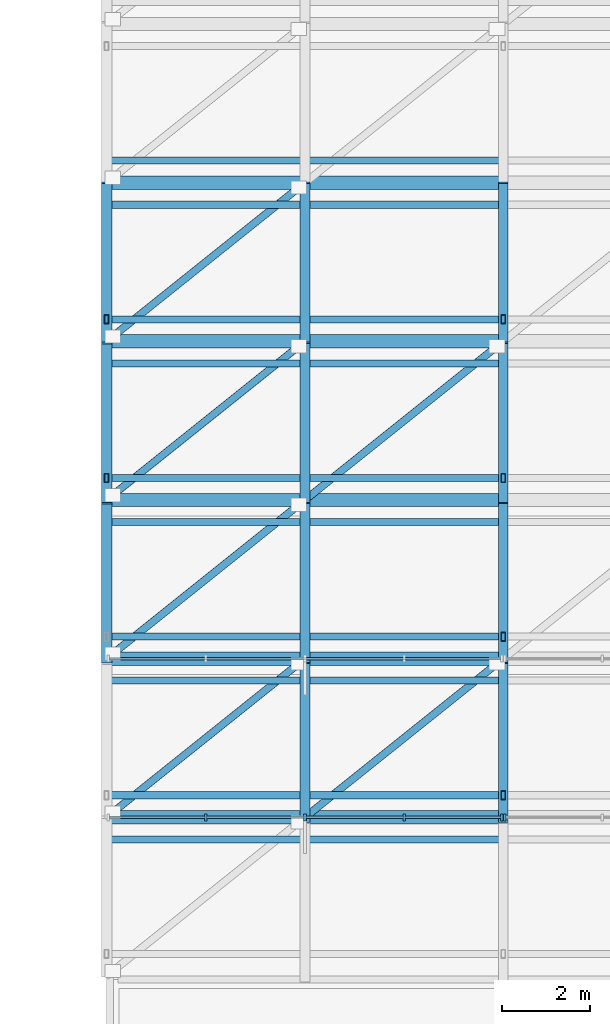
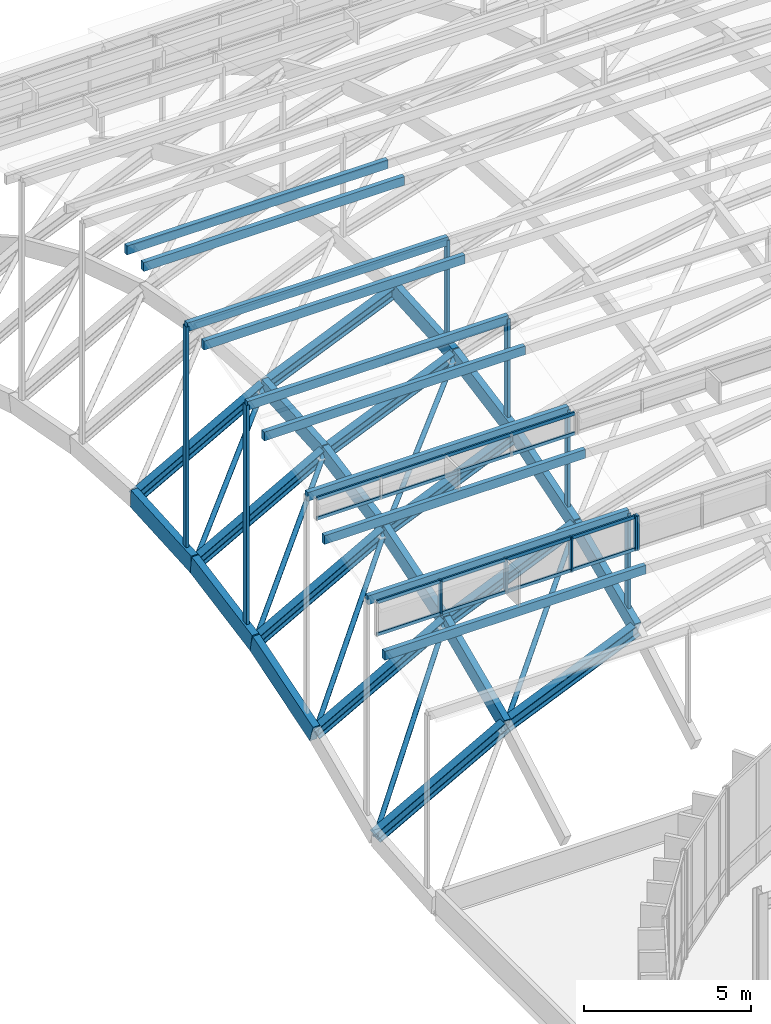
# One storey, part 13 of 69: 31 members, 21 beams, 3 elements without a shape of their own.
"""IFC4 building model written with IfcOpenShell, lengths in metres."""

from ifc_helpers import new_model, si_unit, direction, frame, origin, origin_2d, place, context, subcontext, project, spatial, rectangle, hollow_rectangle, hollow_circle, i_section, extrude, material, layer, layer_set, material_profile, profile_set, type_object, element, aggregate, save


model = new_model("IFC4")

# Units and contexts
model_context = context("Model", 3, precision=1e-05, world=origin(), true_north=direction((0.0, 1.0)))
body_context = subcontext(model_context, "Body", "Model", "MODEL_VIEW")
ifc_project = project(units=[si_unit("LENGTHUNIT", "METRE"), si_unit("AREAUNIT", "SQUARE_METRE"), si_unit("VOLUMEUNIT", "CUBIC_METRE"), si_unit("PLANEANGLEUNIT", "RADIAN"), si_unit("MASSUNIT", "GRAM", prefix="KILO")], contexts=[model_context])

# Site, building, storey
site_placement = place(None, origin())
site = spatial("IfcSite", under=ifc_project, at=site_placement, CompositionType="ELEMENT")
building_placement = place(site_placement, origin())
building = spatial("IfcBuilding", under=site, at=building_placement, Name="Montealbar Specialist Clinic", CompositionType="ELEMENT")
storey_placement = place(building_placement, frame((0.0, 0.0, 9.60009765625)))
storey = spatial("IfcBuildingStorey", under=building, at=storey_placement, Name="L02", CompositionType="ELEMENT", Elevation=9.60009765625)

# Beams
ifc_material_1 = material(Name="Steel S355", Category="steel")
ifc_material_profile_1 = material_profile(ifc_material_1, i_section(OverallWidth=0.300048828125, OverallDepth=0.360107421875, WebThickness=0.012451171875, FlangeThickness=0.0224609375, FilletRadius=0.027099609375, at=origin_2d()), Name="HEB 360", Category="steel")
ifc_profile_set_1 = profile_set([ifc_material_profile_1], Name="Steel S355")
beam_type_1 = type_object("IfcBeamType", Name="BM-GIRD-HEB360-EXT", PredefinedType="BEAM", material=ifc_profile_set_1)
beam_1_placement = place(storey_placement, frame((54.0, 52.199951171875, 2.208984375), z_axis=(0.874579956814, 0.0, 0.484881324799), x_axis=(0.0, 1.0, 0.0)))
element("IfcBeam", 1, at=beam_1_placement, inside=storey, type_object=beam_type_1, Name="Gridshell Roof Truss Arch Rib X 2-0", PredefinedType="BEAM", context=body_context, shape_type="SweptSolid", body=[
    extrude(i_section(OverallWidth=0.300048828125, OverallDepth=0.360107421875, WebThickness=0.012451171875, FlangeThickness=0.0224609375, FilletRadius=0.027099609375, at=origin_2d()), origin(), (0.0, 0.0, 1.0), 5.145263671875),
])
beam_2_placement = place(storey_placement, frame((58.5, 52.199951171875, 4.703857421875), z_axis=(0.918302852681, 0.0, 0.395878606087), x_axis=(0.0, 1.0, 0.0)))
element("IfcBeam", 2, at=beam_2_placement, inside=storey, type_object=beam_type_1, Name="Gridshell Roof Truss Arch Rib X 2-1", PredefinedType="BEAM", context=body_context, shape_type="SweptSolid", body=[
    extrude(i_section(OverallWidth=0.300048828125, OverallDepth=0.360107421875, WebThickness=0.012451171875, FlangeThickness=0.0224609375, FilletRadius=0.027099609375, at=origin_2d()), origin(), (0.0, 0.0, 1.0), 4.900390625),
])
beam_3_placement = place(storey_placement, frame((54.0, 55.800048828125, 3.343017578125), z_axis=(0.874579956814, 0.0, 0.484881324799), x_axis=(0.0, 1.0, 0.0)))
element("IfcBeam", 3, at=beam_3_placement, inside=storey, type_object=beam_type_1, Name="Gridshell Roof Truss Arch Rib X 3-0", PredefinedType="BEAM", context=body_context, shape_type="SweptSolid", body=[
    extrude(i_section(OverallWidth=0.300048828125, OverallDepth=0.360107421875, WebThickness=0.012451171875, FlangeThickness=0.0224609375, FilletRadius=0.027099609375, at=origin_2d()), origin(), (0.0, 0.0, 1.0), 5.145263671875),
])
beam_4_placement = place(storey_placement, frame((58.5, 55.800048828125, 5.837890625), z_axis=(0.918302852681, 0.0, 0.395878606087), x_axis=(0.0, 1.0, 0.0)))
element("IfcBeam", 4, at=beam_4_placement, inside=storey, type_object=beam_type_1, Name="Gridshell Roof Truss Arch Rib X 3-1", PredefinedType="BEAM", context=body_context, shape_type="SweptSolid", body=[
    extrude(i_section(OverallWidth=0.300048828125, OverallDepth=0.360107421875, WebThickness=0.012451171875, FlangeThickness=0.0224609375, FilletRadius=0.027099609375, at=origin_2d()), origin(), (0.0, 0.0, 1.0), 4.900390625),
])
beam_5_placement = place(storey_placement, frame((54.0, 59.39990234375, 4.02294921875), z_axis=(0.874579956814, 0.0, 0.484881324799), x_axis=(0.0, 1.0, 0.0)))
element("IfcBeam", 5, at=beam_5_placement, inside=storey, type_object=beam_type_1, Name="Gridshell Roof Truss Arch Rib X 4-0", PredefinedType="BEAM", context=body_context, shape_type="SweptSolid", body=[
    extrude(i_section(OverallWidth=0.300048828125, OverallDepth=0.360107421875, WebThickness=0.012451171875, FlangeThickness=0.0224609375, FilletRadius=0.027099609375, at=origin_2d()), origin(), (0.0, 0.0, 1.0), 5.145263671875),
])
beam_6_placement = place(storey_placement, frame((58.5, 59.39990234375, 6.517822265625), z_axis=(0.918284740285, 0.0, 0.395920618004), x_axis=(0.0, 1.0, 0.0)))
element("IfcBeam", 6, at=beam_6_placement, inside=storey, type_object=beam_type_1, Name="Gridshell Roof Truss Arch Rib X 4-1", PredefinedType="BEAM", context=body_context, shape_type="SweptSolid", body=[
    extrude(i_section(OverallWidth=0.300048828125, OverallDepth=0.360107421875, WebThickness=0.012451171875, FlangeThickness=0.0224609375, FilletRadius=0.027099609375, at=origin_2d()), origin(), (0.0, 0.0, 1.0), 4.900390625),
])
beam_7_placement = place(storey_placement, frame((54.0, 63.0, 4.25), z_axis=(0.874579956814, 0.0, 0.484881324799), x_axis=(0.0, 1.0, 0.0)))
element("IfcBeam", 7, at=beam_7_placement, inside=storey, type_object=beam_type_1, Name="Gridshell Roof Truss Arch Rib X 5-0", PredefinedType="BEAM", context=body_context, shape_type="SweptSolid", body=[
    extrude(i_section(OverallWidth=0.300048828125, OverallDepth=0.360107421875, WebThickness=0.012451171875, FlangeThickness=0.0224609375, FilletRadius=0.027099609375, at=origin_2d()), origin(), (0.0, 0.0, 1.0), 5.145263671875),
])
beam_8_placement = place(storey_placement, frame((58.5, 63.0, 6.744873046875), z_axis=(0.918302852681, 0.0, 0.395878606087), x_axis=(0.0, 1.0, 0.0)))
element("IfcBeam", 8, at=beam_8_placement, inside=storey, type_object=beam_type_1, Name="Gridshell Roof Truss Arch Rib X 5-1", PredefinedType="BEAM", context=body_context, shape_type="SweptSolid", body=[
    extrude(i_section(OverallWidth=0.300048828125, OverallDepth=0.360107421875, WebThickness=0.012451171875, FlangeThickness=0.0224609375, FilletRadius=0.027099609375, at=origin_2d()), origin(), (0.0, 0.0, 1.0), 4.900390625),
])
ifc_material_profile_2 = material_profile(ifc_material_1, i_section(OverallWidth=0.300048828125, OverallDepth=0.39990234375, WebThickness=0.013427734375, FlangeThickness=0.02392578125, FilletRadius=0.027099609375, at=origin_2d()), Name="HEB 400", Category="steel")
ifc_profile_set_2 = profile_set([ifc_material_profile_2], Name="Steel S355")
beam_type_2 = type_object("IfcBeamType", Name="BM-GIRD-HEB400-EXT", PredefinedType="BEAM", material=ifc_profile_set_2)
beam_9_placement = place(storey_placement, frame((54.0, 48.60009765625, 0.620849609375), z_axis=(0.874559834946, 0.0, 0.484917616816), x_axis=(0.0, 1.0, 0.0)))
element("IfcBeam", 9, at=beam_9_placement, inside=storey, type_object=beam_type_2, Name="Gridshell Roof Truss Arch Rib X 1-0", PredefinedType="BEAM", context=body_context, shape_type="SweptSolid", body=[
    extrude(i_section(OverallWidth=0.300048828125, OverallDepth=0.39990234375, WebThickness=0.013427734375, FlangeThickness=0.02392578125, FilletRadius=0.027099609375, at=origin_2d()), origin(), (0.0, 0.0, 1.0), 5.1455078125),
])
beam_10_placement = place(storey_placement, frame((58.5, 48.60009765625, 3.115966796875), z_axis=(0.918302852681, 0.0, 0.395878606087), x_axis=(0.0, 1.0, 0.0)))
element("IfcBeam", 10, at=beam_10_placement, inside=storey, type_object=beam_type_2, Name="Gridshell Roof Truss Arch Rib X 1-1", PredefinedType="BEAM", context=body_context, shape_type="SweptSolid", body=[
    extrude(i_section(OverallWidth=0.300048828125, OverallDepth=0.39990234375, WebThickness=0.013427734375, FlangeThickness=0.02392578125, FilletRadius=0.027099609375, at=origin_2d()), origin(), (0.0, 0.0, 1.0), 4.900390625),
])
ifc_material_2 = material(Name="Glulam GL28h", Category="wood")
ifc_material_profile_3 = material_profile(ifc_material_2, rectangle(XDim=0.219970703125, YDim=0.56005859375, at=origin_2d()), Name="GL28h 220x560", Category="wood")
ifc_profile_set_3 = profile_set([ifc_material_profile_3], Name="Glulam GL28h")
beam_type_3 = type_object("IfcBeamType", Name="BM-GL-220x560-EXT", PredefinedType="BEAM", material=ifc_profile_set_3)
beam_11_placement = place(storey_placement, frame((58.5, 48.60009765625, 3.115966796875), z_axis=(0.0, 0.914944084874, 0.403580625841), x_axis=(-1.0, 0.0, 0.0)))
element("IfcBeam", 11, at=beam_11_placement, inside=storey, type_object=beam_type_3, Name="Gridshell Glulam Roof Truss Rib Y 1-1", PredefinedType="BEAM", context=body_context, shape_type="SweptSolid", body=[
    extrude(rectangle(XDim=0.219970703125, YDim=0.56005859375, at=origin_2d()), origin(), (0.0, 0.0, 1.0), 3.9345703125),
])
beam_12_placement = place(storey_placement, frame((58.5, 52.199951171875, 4.703857421875), z_axis=(0.0, 0.953798460342, 0.300447161826), x_axis=(-1.0, 0.0, 0.0)))
element("IfcBeam", 12, at=beam_12_placement, inside=storey, type_object=beam_type_3, Name="Gridshell Glulam Roof Truss Rib Y 1-2", PredefinedType="BEAM", context=body_context, shape_type="SweptSolid", body=[
    extrude(rectangle(XDim=0.219970703125, YDim=0.56005859375, at=origin_2d()), origin(), (0.0, 0.0, 1.0), 3.7744140625),
])
beam_13_placement = place(storey_placement, frame((58.5, 55.800048828125, 5.837890625), z_axis=(0.0, 0.982626127294, 0.185596050493), x_axis=(-1.0, 0.0, 0.0)))
element("IfcBeam", 13, at=beam_13_placement, inside=storey, type_object=beam_type_3, Name="Gridshell Glulam Roof Truss Rib Y 1-3", PredefinedType="BEAM", context=body_context, shape_type="SweptSolid", body=[
    extrude(rectangle(XDim=0.219970703125, YDim=0.56005859375, at=origin_2d()), origin(), (0.0, 0.0, 1.0), 3.66357421875),
])
beam_14_placement = place(storey_placement, frame((58.5, 59.39990234375, 6.517822265625), z_axis=(0.0, 0.998017130092, 0.062942895089), x_axis=(-1.0, 0.0, 0.0)))
element("IfcBeam", 14, at=beam_14_placement, inside=storey, type_object=beam_type_3, Name="Gridshell Glulam Roof Truss Rib Y 1-4", PredefinedType="BEAM", context=body_context, shape_type="SweptSolid", body=[
    extrude(rectangle(XDim=0.219970703125, YDim=0.56005859375, at=origin_2d()), origin(), (0.0, 0.0, 1.0), 3.607177734375),
])
beam_15_placement = place(storey_placement, frame((63.0, 48.60009765625, 5.055908203125), z_axis=(0.0, 0.914944084874, 0.403580625841), x_axis=(-1.0, 0.0, 0.0)))
element("IfcBeam", 15, at=beam_15_placement, inside=storey, type_object=beam_type_3, Name="Gridshell Glulam Roof Truss Rib Y 2-1", PredefinedType="BEAM", context=body_context, shape_type="SweptSolid", body=[
    extrude(rectangle(XDim=0.219970703125, YDim=0.56005859375, at=origin_2d()), origin(), (0.0, 0.0, 1.0), 3.9345703125),
])
beam_16_placement = place(storey_placement, frame((63.0, 52.199951171875, 6.643798828125), z_axis=(0.0, 0.953798460342, 0.300447161826), x_axis=(-1.0, 0.0, 0.0)))
element("IfcBeam", 16, at=beam_16_placement, inside=storey, type_object=beam_type_3, Name="Gridshell Glulam Roof Truss Rib Y 2-2", PredefinedType="BEAM", context=body_context, shape_type="SweptSolid", body=[
    extrude(rectangle(XDim=0.219970703125, YDim=0.56005859375, at=origin_2d()), origin(), (0.0, 0.0, 1.0), 3.7744140625),
])
beam_17_placement = place(storey_placement, frame((63.0, 55.800048828125, 7.77783203125), z_axis=(0.0, 0.98261397186, 0.18566039509), x_axis=(-1.0, 0.0, 0.0)))
element("IfcBeam", 17, at=beam_17_placement, inside=storey, type_object=beam_type_3, Name="Gridshell Glulam Roof Truss Rib Y 2-3", PredefinedType="BEAM", context=body_context, shape_type="SweptSolid", body=[
    extrude(rectangle(XDim=0.219970703125, YDim=0.56005859375, at=origin_2d()), origin(), (0.0, 0.0, 1.0), 3.66357421875),
])
beam_18_placement = place(storey_placement, frame((63.0, 59.39990234375, 8.4580078125), z_axis=(0.0, 0.998021379395, 0.062875482264), x_axis=(-1.0, 0.0, 0.0)))
element("IfcBeam", 18, at=beam_18_placement, inside=storey, type_object=beam_type_3, Name="Gridshell Glulam Roof Truss Rib Y 2-4", PredefinedType="BEAM", context=body_context, shape_type="SweptSolid", body=[
    extrude(rectangle(XDim=0.219970703125, YDim=0.56005859375, at=origin_2d()), origin(), (0.0, 0.0, 1.0), 3.607177734375),
])
ifc_material_profile_4 = material_profile(ifc_material_2, rectangle(XDim=0.239990234375, YDim=0.639892578125, at=origin_2d()), Name="GL28h 240x640", Category="wood")
ifc_profile_set_4 = profile_set([ifc_material_profile_4], Name="Glulam GL28h")
beam_type_4 = type_object("IfcBeamType", Name="BM-GL-240x640-EXT", PredefinedType="BEAM", material=ifc_profile_set_4)
beam_19_placement = place(storey_placement, frame((54.0, 52.199951171875, 2.208984375), z_axis=(0.0, 0.953798460342, 0.300447161826), x_axis=(-1.0, 0.0, 0.0)))
element("IfcBeam", 19, at=beam_19_placement, inside=storey, type_object=beam_type_4, Name="Gridshell Glulam Roof Truss Rib Y 0-2", PredefinedType="BEAM", context=body_context, shape_type="SweptSolid", body=[
    extrude(rectangle(XDim=0.239990234375, YDim=0.639892578125, at=origin_2d()), origin(), (0.0, 0.0, 1.0), 3.7744140625),
])
beam_20_placement = place(storey_placement, frame((54.0, 55.800048828125, 3.343017578125), z_axis=(0.0, 0.982626127294, 0.185596050493), x_axis=(-1.0, 0.0, 0.0)))
element("IfcBeam", 20, at=beam_20_placement, inside=storey, type_object=beam_type_4, Name="Gridshell Glulam Roof Truss Rib Y 0-3", PredefinedType="BEAM", context=body_context, shape_type="SweptSolid", body=[
    extrude(rectangle(XDim=0.239990234375, YDim=0.639892578125, at=origin_2d()), origin(), (0.0, 0.0, 1.0), 3.66357421875),
])
beam_21_placement = place(storey_placement, frame((54.0, 59.39990234375, 4.02294921875), z_axis=(0.0, 0.998017130092, 0.062942895089), x_axis=(-1.0, 0.0, 0.0)))
element("IfcBeam", 21, at=beam_21_placement, inside=storey, type_object=beam_type_4, Name="Gridshell Glulam Roof Truss Rib Y 0-4", PredefinedType="BEAM", context=body_context, shape_type="SweptSolid", body=[
    extrude(rectangle(XDim=0.239990234375, YDim=0.639892578125, at=origin_2d()), origin(), (0.0, 0.0, 1.0), 3.607177734375),
])

# Curtain wall, members
ifc_material_3 = material(Name="Low-E double glazing", Category="glass")
ifc_layer_1 = layer(ifc_material_3, 0.199951171875, Name="Low-E double glazing", Category="glass")
ifc_layer_set_1 = layer_set([ifc_layer_1], Name="Low-E double glazing")
curtain_wall_type_1 = type_object("IfcCurtainWallType", Name="CW-TYPE-47", PredefinedType="NOTDEFINED", material=ifc_layer_set_1)
curtain_wall_1_placement = place(storey_placement, origin())
curtain_wall_1 = element("IfcCurtainWall", 22, at=curtain_wall_1_placement, inside=storey, type_object=curtain_wall_type_1, Name="Unitised Curtain Wall CW-L02-540-486-630-486-175", PredefinedType="NOTDEFINED")
ifc_material_4 = material(Name="Anodised aluminium EN AW-6063", Category="aluminium")
ifc_material_profile_5 = material_profile(ifc_material_4, rectangle(XDim=0.06005859375, YDim=0.159912109375, at=origin_2d()), Name="ALU 60x160", Category="aluminium")
ifc_profile_set_5 = profile_set([ifc_material_profile_5], Name="Anodised aluminium EN AW-6063")
member_type_1 = type_object("IfcMemberType", Name="CW-MUL-160", PredefinedType="MULLION", material=ifc_profile_set_5)
member_1_placement = place(storey_placement, frame((56.25, 48.60009765625, 7.933837890625), z_axis=(0.0, 0.0, 1.0), x_axis=(1.0, 0.0, 0.0)))
member_1 = element("IfcMember", 23, at=member_1_placement, type_object=member_type_1, Name="Curtain Wall Mullion CW-L02-540-486-630-486-175-01", PredefinedType="MULLION", context=body_context, shape_type="SweptSolid", body=[
    extrude(rectangle(XDim=0.06005859375, YDim=0.159912109375, at=origin_2d()), origin(), (0.0, 0.0, 1.0), 1.257080078125),
])
member_2_placement = place(storey_placement, frame((58.5, 48.60009765625, 7.933837890625), z_axis=(0.0, 0.0, 1.0), x_axis=(1.0, 0.0, 0.0)))
member_2 = element("IfcMember", 24, at=member_2_placement, type_object=member_type_1, Name="Curtain Wall Mullion CW-L02-540-486-630-486-175-02", PredefinedType="MULLION", context=body_context, shape_type="SweptSolid", body=[
    extrude(rectangle(XDim=0.06005859375, YDim=0.159912109375, at=origin_2d()), origin(), (0.0, 0.0, 1.0), 1.257080078125),
])
member_3_placement = place(storey_placement, frame((60.75, 48.60009765625, 7.933837890625), z_axis=(0.0, 0.0, 1.0), x_axis=(1.0, 0.0, 0.0)))
member_3 = element("IfcMember", 25, at=member_3_placement, type_object=member_type_1, Name="Curtain Wall Mullion CW-L02-540-486-630-486-175-03", PredefinedType="MULLION", context=body_context, shape_type="SweptSolid", body=[
    extrude(rectangle(XDim=0.06005859375, YDim=0.159912109375, at=origin_2d()), origin(), (0.0, 0.0, 1.0), 1.257080078125),
])
member_4_placement = place(storey_placement, frame((62.965087890625, 48.60009765625, 7.933837890625), z_axis=(0.0, 0.0, 1.0), x_axis=(1.0, 0.0, 0.0)))
member_4 = element("IfcMember", 26, at=member_4_placement, type_object=member_type_1, Name="Curtain Wall Mullion CW-L02-540-486-630-486-175-04", PredefinedType="MULLION", context=body_context, shape_type="SweptSolid", body=[
    extrude(rectangle(XDim=0.06005859375, YDim=0.159912109375, at=origin_2d()), origin(), (0.0, 0.0, 1.0), 1.257080078125),
])

# Curtain wall, member
curtain_wall_2_placement = place(storey_placement, origin())
curtain_wall_2 = element("IfcCurtainWall", 27, at=curtain_wall_2_placement, inside=storey, type_object=curtain_wall_type_1, Name="Unitised Curtain Wall CW-L02-630-486-720-486-175", PredefinedType="NOTDEFINED")
member_5_placement = place(storey_placement, frame((63.034912109375, 48.60009765625, 7.933837890625), z_axis=(0.0, 0.0, 1.0), x_axis=(1.0, 0.0, 0.0)))
member_5 = element("IfcMember", 28, at=member_5_placement, type_object=member_type_1, Name="Curtain Wall Mullion CW-L02-630-486-720-486-175-00", PredefinedType="MULLION", context=body_context, shape_type="SweptSolid", body=[
    extrude(rectangle(XDim=0.06005859375, YDim=0.159912109375, at=origin_2d()), origin(), (0.0, 0.0, 1.0), 1.257080078125),
])
aggregate(curtain_wall_2, [member_5])

# Member
ifc_material_5 = material(Name="Powder-coated aluminium", Category="aluminium")
ifc_material_profile_6 = material_profile(ifc_material_5, rectangle(XDim=0.06005859375, YDim=0.1201171875, at=origin_2d()), Name="ALU 60x120", Category="aluminium")
ifc_profile_set_6 = profile_set([ifc_material_profile_6], Name="Powder-coated aluminium")
member_type_2 = type_object("IfcMemberType", Name="CW-TRN-120", PredefinedType="USERDEFINED", material=ifc_profile_set_6)
member_6_placement = place(storey_placement, frame((54.050048828125, 48.60009765625, 7.973876953125), z_axis=(1.0, 0.0, 0.0), x_axis=(0.0, 1.0, 0.0)))
member_6 = element("IfcMember", 29, at=member_6_placement, type_object=member_type_2, Name="Curtain Wall Transom CW-L02-540-486-630-486-175-00", ObjectType="TRANSOM", PredefinedType="USERDEFINED", context=body_context, shape_type="SweptSolid", body=[
    extrude(rectangle(XDim=0.06005859375, YDim=0.1201171875, at=origin_2d()), origin(), (0.0, 0.0, 1.0), 8.89990234375),
])

member_7_placement = place(storey_placement, frame((54.050048828125, 48.60009765625, 9.15087890625), z_axis=(1.0, 0.0, 0.0), x_axis=(0.0, 1.0, 0.0)))
member_7 = element("IfcMember", 30, at=member_7_placement, type_object=member_type_2, Name="Curtain Wall Transom CW-L02-540-486-630-486-175-01", ObjectType="TRANSOM", PredefinedType="USERDEFINED", context=body_context, shape_type="SweptSolid", body=[
    extrude(rectangle(XDim=0.06005859375, YDim=0.1201171875, at=origin_2d()), origin(), (0.0, 0.0, 1.0), 8.89990234375),
])

aggregate(curtain_wall_1, [member_1, member_2, member_3, member_4, member_6, member_7])

# Curtain wall, members
ifc_layer_2 = layer(ifc_material_3, 0.199951171875, Name="Low-E double glazing", Category="glass")
ifc_layer_set_2 = layer_set([ifc_layer_2], Name="Low-E double glazing")
curtain_wall_type_2 = type_object("IfcCurtainWallType", Name="CW-TYPE-48", PredefinedType="NOTDEFINED", material=ifc_layer_set_2)
curtain_wall_3_placement = place(storey_placement, origin())
curtain_wall_3 = element("IfcCurtainWall", 31, at=curtain_wall_3_placement, inside=storey, type_object=curtain_wall_type_2, Name="Unitised Curtain Wall CW-L02-540-522-630-522-196", PredefinedType="NOTDEFINED")
member_8_placement = place(storey_placement, frame((54.050048828125, 52.199951171875, 10.014892578125), z_axis=(1.0, 0.0, 0.0), x_axis=(0.0, 1.0, 0.0)))
member_8 = element("IfcMember", 32, at=member_8_placement, type_object=member_type_2, Name="Curtain Wall Transom CW-L02-540-522-630-522-196-00", ObjectType="TRANSOM", PredefinedType="USERDEFINED", context=body_context, shape_type="SweptSolid", body=[
    extrude(rectangle(XDim=0.06005859375, YDim=0.1201171875, at=origin_2d()), origin(), (0.0, 0.0, 1.0), 8.89990234375),
])
member_9_placement = place(storey_placement, frame((54.050048828125, 52.199951171875, 10.739013671875), z_axis=(1.0, 0.0, 0.0), x_axis=(0.0, 1.0, 0.0)))
member_9 = element("IfcMember", 33, at=member_9_placement, type_object=member_type_2, Name="Curtain Wall Transom CW-L02-540-522-630-522-196-01", ObjectType="TRANSOM", PredefinedType="USERDEFINED", context=body_context, shape_type="SweptSolid", body=[
    extrude(rectangle(XDim=0.06005859375, YDim=0.1201171875, at=origin_2d()), origin(), (0.0, 0.0, 1.0), 8.89990234375),
])
aggregate(curtain_wall_3, [member_8, member_9])

# Members
ifc_material_profile_7 = material_profile(ifc_material_1, hollow_circle(Radius=0.084228515625, WallThickness=0.008056640625, at=origin_2d()), Name="CHS 168.3x8.0", Category="steel")
ifc_profile_set_7 = profile_set([ifc_material_profile_7], Name="Steel S355")
member_type_3 = type_object("IfcMemberType", Name="MB-GS-DIAG-EXT", PredefinedType="BRACE", material=ifc_profile_set_7)
member_10_placement = place(storey_placement, frame((54.0, 48.60009765625, 0.620849609375), z_axis=(0.637161806395, 0.509708704172, 0.578119251853), x_axis=(-0.624679547852, 0.780881208953, 0.0)))
element("IfcMember", 34, at=member_10_placement, inside=storey, type_object=member_type_3, Name="Gridshell Roof Brace 0-1", PredefinedType="BRACE", context=body_context, shape_type="SweptSolid", body=[
    extrude(hollow_circle(Radius=0.084228515625, WallThickness=0.008056640625, at=origin_2d()), origin(), (0.0, 0.0, 1.0), 7.0625),
])
member_11_placement = place(storey_placement, frame((54.0, 52.199951171875, 2.208984375), z_axis=(0.660767564155, 0.528628390898, 0.532858565191), x_axis=(-0.624705380279, 0.780860543151, 0.0)))
element("IfcMember", 35, at=member_11_placement, inside=storey, type_object=member_type_3, Name="Gridshell Roof Brace 0-2", PredefinedType="BRACE", context=body_context, shape_type="SweptSolid", body=[
    extrude(hollow_circle(Radius=0.084228515625, WallThickness=0.008056640625, at=origin_2d()), origin(), (0.0, 0.0, 1.0), 6.810302734375),
])
member_12_placement = place(storey_placement, frame((54.0, 55.800048828125, 3.343017578125), z_axis=(0.683954320387, 0.547141192171, 0.482538084978), x_axis=(-0.624679547852, 0.780881208953, 0.0)))
element("IfcMember", 36, at=member_12_placement, inside=storey, type_object=member_type_3, Name="Gridshell Roof Brace 0-3", PredefinedType="BRACE", context=body_context, shape_type="SweptSolid", body=[
    extrude(hollow_circle(Radius=0.084228515625, WallThickness=0.008056640625, at=origin_2d()), origin(), (0.0, 0.0, 1.0), 6.579345703125),
])
member_13_placement = place(storey_placement, frame((54.0, 59.39990234375, 4.02294921875), z_axis=(0.706065253574, 0.564867525456, 0.427079075092), x_axis=(-0.624705380279, 0.780860543151, 0.0)))
element("IfcMember", 37, at=member_13_placement, inside=storey, type_object=member_type_3, Name="Gridshell Roof Brace 0-4", PredefinedType="BRACE", context=body_context, shape_type="SweptSolid", body=[
    extrude(hollow_circle(Radius=0.084228515625, WallThickness=0.008056640625, at=origin_2d()), origin(), (0.0, 0.0, 1.0), 6.373291015625),
])
member_14_placement = place(storey_placement, frame((58.5, 48.60009765625, 3.115966796875), z_axis=(0.665994293918, 0.532773755633, 0.52211466727), x_axis=(-0.624679547852, 0.780881208953, 0.0)))
element("IfcMember", 38, at=member_14_placement, inside=storey, type_object=member_type_3, Name="Gridshell Roof Brace 1-1", PredefinedType="BRACE", context=body_context, shape_type="SweptSolid", body=[
    extrude(hollow_circle(Radius=0.084228515625, WallThickness=0.008056640625, at=origin_2d()), origin(), (0.0, 0.0, 1.0), 6.7568359375),
])
member_15_placement = place(storey_placement, frame((58.5, 55.800048828125, 5.837890625), z_axis=(0.710855596279, 0.568661337192, 0.413894436809), x_axis=(-0.624679547852, 0.780881208953, 0.0)))
element("IfcMember", 39, at=member_15_placement, inside=storey, type_object=member_type_3, Name="Gridshell Roof Brace 1-3", PredefinedType="BRACE", context=body_context, shape_type="SweptSolid", body=[
    extrude(hollow_circle(Radius=0.084228515625, WallThickness=0.008056640625, at=origin_2d()), origin(), (0.0, 0.0, 1.0), 6.330322265625),
])
ifc_material_profile_8 = material_profile(ifc_material_2, rectangle(XDim=0.159912109375, YDim=0.320068359375, at=origin_2d()), Name="GL28h 160x320", Category="wood")
ifc_profile_set_8 = profile_set([ifc_material_profile_8], Name="Glulam GL28h")
member_type_4 = type_object("IfcMemberType", Name="MB-GS-PURLIN-GL-EXT", PredefinedType="PURLIN", material=ifc_profile_set_8)
for number, where, z_axis, x_axis, name in (
    (40, (54.0, 48.10009765625, 7.548828125), (1.0, 0.0, 0.0), (0.0, 1.0, 0.0), "Gridshell Glulam Purlin 1-1-2"),
    (41, (54.0, 49.10009765625, 8.9658203125), (1.0, 0.0, 0.0), (0.0, 1.0, 0.0), "Gridshell Glulam Purlin 2-1-1"),
    (42, (54.0, 51.699951171875, 9.58984375), (1.0, 0.0, 0.0), (0.0, 1.0, 0.0), "Gridshell Glulam Purlin 2-1-2"),
    (43, (54.0, 52.699951171875, 10.553955078125), (1.0, 0.0, 0.0), (0.0, 1.0, 0.0), "Gridshell Glulam Purlin 3-1-1"),
    (44, (54.0, 55.300048828125, 11.177978515625), (1.0, 0.0, 0.0), (0.0, 1.0, 0.0), "Gridshell Glulam Purlin 3-1-2"),
    (45, (54.0, 56.300048828125, 11.68798828125), (1.0, 0.0, 0.0), (0.0, 1.0, 0.0), "Gridshell Glulam Purlin 4-1-1"),
    (46, (54.0, 58.89990234375, 12.31201171875), (1.0, 0.0, 0.0), (0.0, 1.0, 0.0), "Gridshell Glulam Purlin 4-1-2"),
    (47, (54.0, 59.89990234375, 12.367919921875), (1.0, 0.0, 0.0), (0.0, 1.0, 0.0), "Gridshell Glulam Purlin 5-1-1"),
    (48, (54.0, 62.5, 12.991943359375), (1.0, 0.0, 0.0), (0.0, 1.0, 0.0), "Gridshell Glulam Purlin 5-1-2"),
    (49, (54.0, 63.5, 12.991943359375), (1.0, 0.0, 0.0), (0.0, 1.0, 0.0), "Gridshell Glulam Purlin 6-1-1"),
):
    element("IfcMember", number, at=place(storey_placement, frame(where, z_axis=z_axis, x_axis=x_axis)), inside=storey, type_object=member_type_4, Name=name, PredefinedType="PURLIN", context=body_context, shape_type="SweptSolid", body=[
        extrude(rectangle(XDim=0.159912109375, YDim=0.320068359375, at=origin_2d()), origin(), (0.0, 0.0, 1.0), 9.0),
    ])
ifc_material_profile_9 = material_profile(ifc_material_1, hollow_rectangle(XDim=0.10009765625, YDim=0.199951171875, WallThickness=0.008056640625, at=origin_2d()), Name="RHS 200x100x8", Category="steel")
ifc_profile_set_9 = profile_set([ifc_material_profile_9], Name="Steel S355")
member_type_5 = type_object("IfcMemberType", Name="MB-GS-PURLIN-ST-EXT", PredefinedType="PURLIN", material=ifc_profile_set_9)
member_16_placement = place(storey_placement, frame((63.0, 49.10009765625, 5.055908203125), z_axis=(0.0, 0.0, 1.0), x_axis=(1.0, 0.0, 0.0)))
element("IfcMember", 50, at=member_16_placement, inside=storey, type_object=member_type_5, Name="Gridshell Monitor Post 2-2", PredefinedType="PURLIN", context=body_context, shape_type="SweptSolid", body=[
    extrude(hollow_rectangle(XDim=0.10009765625, YDim=0.199951171875, WallThickness=0.008056640625, at=origin_2d()), origin(), (0.0, 0.0, 1.0), 3.951904296875),
])
member_17_placement = place(storey_placement, frame((63.0, 52.699951171875, 6.643798828125), z_axis=(0.0, 0.0, 1.0), x_axis=(1.0, 0.0, 0.0)))
element("IfcMember", 51, at=member_17_placement, inside=storey, type_object=member_type_5, Name="Gridshell Monitor Post 3-2", PredefinedType="PURLIN", context=body_context, shape_type="SweptSolid", body=[
    extrude(hollow_rectangle(XDim=0.10009765625, YDim=0.199951171875, WallThickness=0.008056640625, at=origin_2d()), origin(), (0.0, 0.0, 1.0), 3.9521484375),
])
member_18_placement = place(storey_placement, frame((54.0, 56.300048828125, 3.343017578125), z_axis=(0.0, 0.0, 1.0), x_axis=(1.0, 0.0, 0.0)))
element("IfcMember", 52, at=member_18_placement, inside=storey, type_object=member_type_5, Name="Gridshell Monitor Post 4-0", PredefinedType="PURLIN", context=body_context, shape_type="SweptSolid", body=[
    extrude(hollow_rectangle(XDim=0.10009765625, YDim=0.199951171875, WallThickness=0.008056640625, at=origin_2d()), origin(), (0.0, 0.0, 1.0), 8.386962890625),
])
member_19_placement = place(storey_placement, frame((63.0, 56.300048828125, 7.77783203125), z_axis=(0.0, 0.0, 1.0), x_axis=(1.0, 0.0, 0.0)))
element("IfcMember", 53, at=member_19_placement, inside=storey, type_object=member_type_5, Name="Gridshell Monitor Post 4-2", PredefinedType="PURLIN", context=body_context, shape_type="SweptSolid", body=[
    extrude(hollow_rectangle(XDim=0.10009765625, YDim=0.199951171875, WallThickness=0.008056640625, at=origin_2d()), origin(), (0.0, 0.0, 1.0), 3.9521484375),
])
member_20_placement = place(storey_placement, frame((54.0, 59.89990234375, 4.02294921875), z_axis=(0.0, 0.0, 1.0), x_axis=(1.0, 0.0, 0.0)))
element("IfcMember", 54, at=member_20_placement, inside=storey, type_object=member_type_5, Name="Gridshell Monitor Post 5-0", PredefinedType="PURLIN", context=body_context, shape_type="SweptSolid", body=[
    extrude(hollow_rectangle(XDim=0.10009765625, YDim=0.199951171875, WallThickness=0.008056640625, at=origin_2d()), origin(), (0.0, 0.0, 1.0), 8.386962890625),
])
member_21_placement = place(storey_placement, frame((63.0, 59.89990234375, 8.4580078125), z_axis=(0.0, 0.0, 1.0), x_axis=(1.0, 0.0, 0.0)))
element("IfcMember", 55, at=member_21_placement, inside=storey, type_object=member_type_5, Name="Gridshell Monitor Post 5-2", PredefinedType="PURLIN", context=body_context, shape_type="SweptSolid", body=[
    extrude(hollow_rectangle(XDim=0.10009765625, YDim=0.199951171875, WallThickness=0.008056640625, at=origin_2d()), origin(), (0.0, 0.0, 1.0), 3.951904296875),
])

save(model, "model.ifc")
